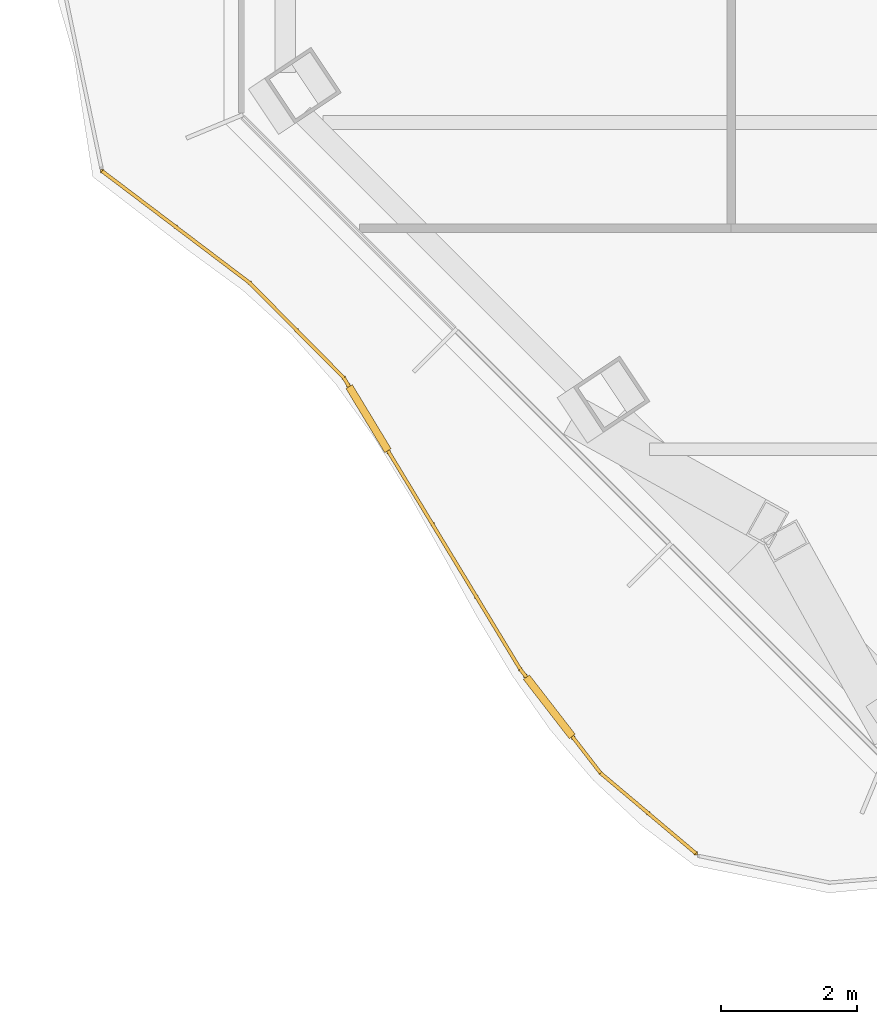
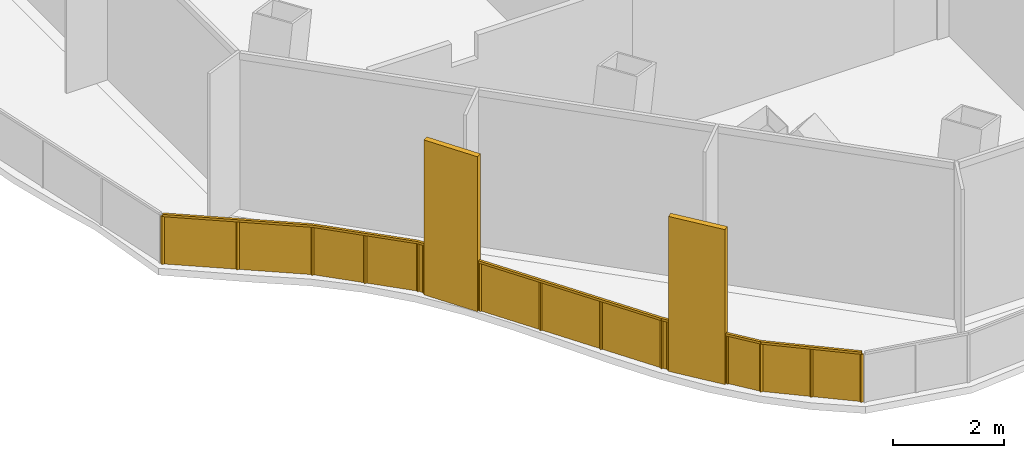
# One storey, part 13 of 19: 1 railing.
"""IFC4 building model written with IfcOpenShell, lengths in metres."""

from ifc_helpers import new_model, si_unit, direction, frame, origin, origin_2d, place, context, subcontext, project, spatial, polyline, rectangle, outline, extrude, material, type_object, element, save


model = new_model("IFC4")

# Units and contexts
model_context = context("Model", 3, precision=1e-05, world=origin(), true_north=direction((0.0, 1.0)))
body_context = subcontext(model_context, "Body", "Model", "MODEL_VIEW")
ifc_project = project(units=[si_unit("LENGTHUNIT", "METRE"), si_unit("AREAUNIT", "SQUARE_METRE"), si_unit("VOLUMEUNIT", "CUBIC_METRE"), si_unit("PLANEANGLEUNIT", "RADIAN"), si_unit("MASSUNIT", "GRAM", prefix="KILO")], contexts=[model_context])

# Site, building, storey
site_placement = place(None, origin())
site = spatial("IfcSite", under=ifc_project, at=site_placement, CompositionType="ELEMENT")
building_placement = place(site_placement, origin())
building = spatial("IfcBuilding", under=site, at=building_placement, Name="Cairn Pilgrim Tower", CompositionType="ELEMENT")
storey_placement = place(building_placement, frame((0.0, 0.0, 90.60009765625)))
storey = spatial("IfcBuildingStorey", under=building, at=storey_placement, Name="L21", CompositionType="ELEMENT", Elevation=90.60009765625)

# Railing
ifc_material = material(Name="Bronze anodised aluminium rail, posts and fin screens with laminated glass infill", Category="aluminium")
railing_type = type_object("IfcRailingType", Name="BALCONY GUARD WITH FIN SCREENS", PredefinedType="GUARDRAIL", material=ifc_material)
railing_placement = place(storey_placement, frame((-30.272216796875, -14.8994140625, 0.0)))
element("IfcRailing", 1, at=railing_placement, inside=storey, type_object=railing_type, Name="Balcony guard BGF-7 with fin screens", PredefinedType="GUARDRAIL", context=body_context, shape_type="SweptSolid", body=[
    extrude(rectangle(XDim=0.050048828125, YDim=0.050048828125, at=origin_2d()), frame((0.0, 0.0, 1.0751953125), z_axis=(0.797297754548, -0.60358619152, 0.0), x_axis=(0.60358619152, 0.797297754548, 0.0)), (0.0, 0.0, 1.0), 2.718505859375),
    extrude(rectangle(XDim=0.050048828125, YDim=0.050048828125, at=origin_2d()), frame((2.16748046875, -1.640869140625, 1.0751953125), z_axis=(0.703998664386, -0.71020129579, 0.0), x_axis=(0.71020129579, 0.703998664386, 0.0)), (0.0, 0.0, 1.0), 1.968017578125),
    extrude(rectangle(XDim=1.10009765625, YDim=0.110107421875, at=origin_2d()), frame((3.91552734375, -3.637451171875, 0.0), z_axis=(0.0, 0.0, 1.0), x_axis=(0.517893859216, -0.855444884599, 0.0)), (0.0, 0.0, 1.0), 3.39990234375),
    extrude(rectangle(XDim=0.050048828125, YDim=0.050048828125, at=origin_2d()), frame((3.552978515625, -3.03857421875, 1.0751953125), z_axis=(0.517893859216, -0.855444884599, 0.0), x_axis=(0.855444884599, 0.517893859216, 0.0)), (0.0, 0.0, 1.0), 0.150146484375),
    extrude(rectangle(XDim=0.050048828125, YDim=0.050048828125, at=origin_2d()), frame((4.200439453125, -4.10791015625, 1.0751953125), z_axis=(0.517893859216, -0.855444884599, 0.0), x_axis=(0.855444884599, 0.517893859216, 0.0)), (0.0, 0.0, 1.0), 3.751953125),
    extrude(rectangle(XDim=1.10009765625, YDim=0.110107421875, at=origin_2d()), frame((6.572021484375, -7.87158203125, 0.0), z_axis=(0.0, 0.0, 1.0), x_axis=(0.611749751071, -0.791051352356, 0.0)), (0.0, 0.0, 1.0), 3.39990234375),
    extrude(rectangle(XDim=0.050048828125, YDim=0.050048828125, at=origin_2d()), frame((6.1435546875, -7.317626953125, 1.0751953125), z_axis=(0.611749751071, -0.791051352356, 0.0), x_axis=(0.791051352356, 0.611749751071, 0.0)), (0.0, 0.0, 1.0), 0.150390625),
    extrude(rectangle(XDim=0.050048828125, YDim=0.050048828125, at=origin_2d()), frame((6.908447265625, -8.306640625, 1.0751953125), z_axis=(0.611749751071, -0.791051352356, 0.0), x_axis=(0.791051352356, 0.611749751071, 0.0)), (0.0, 0.0, 1.0), 0.680419921875),
    extrude(rectangle(XDim=0.050048828125, YDim=0.050048828125, at=origin_2d()), frame((7.32470703125, -8.844970703125, 1.0751953125), z_axis=(0.764638180345, -0.644459815007, 0.0), x_axis=(0.644459815007, 0.764638180345, 0.0)), (0.0, 0.0, 1.0), 1.83251953125),
    extrude(rectangle(XDim=0.050048828125, YDim=0.050048828125, at=origin_2d()), origin(), (0.0, 0.0, 1.0), 1.050048828125),
    extrude(rectangle(XDim=0.050048828125, YDim=0.050048828125, at=origin_2d()), frame((1.083740234375, -0.820556640625, 0.0)), (0.0, 0.0, 1.0), 1.050048828125),
    extrude(rectangle(XDim=0.050048828125, YDim=0.050048828125, at=origin_2d()), frame((2.16748046875, -1.640869140625, 0.0)), (0.0, 0.0, 1.0), 1.050048828125),
    extrude(rectangle(XDim=0.050048828125, YDim=0.050048828125, at=origin_2d()), frame((2.8603515625, -2.33984375, 0.0)), (0.0, 0.0, 1.0), 1.050048828125),
    extrude(rectangle(XDim=0.050048828125, YDim=0.050048828125, at=origin_2d()), frame((3.552978515625, -3.03857421875, 0.0)), (0.0, 0.0, 1.0), 1.050048828125),
    extrude(rectangle(XDim=0.050048828125, YDim=0.050048828125, at=origin_2d()), frame((3.61767578125, -3.1455078125, 0.0)), (0.0, 0.0, 1.0), 1.050048828125),
    extrude(rectangle(XDim=0.050048828125, YDim=0.050048828125, at=origin_2d()), frame((4.21337890625, -4.12939453125, 0.0)), (0.0, 0.0, 1.0), 1.050048828125),
    extrude(rectangle(XDim=0.050048828125, YDim=0.050048828125, at=origin_2d()), frame((4.856689453125, -5.192138671875, 0.0)), (0.0, 0.0, 1.0), 1.050048828125),
    extrude(rectangle(XDim=0.050048828125, YDim=0.050048828125, at=origin_2d()), frame((5.500244140625, -6.2548828125, 0.0)), (0.0, 0.0, 1.0), 1.050048828125),
    extrude(rectangle(XDim=0.050048828125, YDim=0.050048828125, at=origin_2d()), frame((6.1435546875, -7.317626953125, 0.0)), (0.0, 0.0, 1.0), 1.050048828125),
    extrude(rectangle(XDim=0.050048828125, YDim=0.050048828125, at=origin_2d()), frame((6.22021484375, -7.416748046875, 0.0)), (0.0, 0.0, 1.0), 1.050048828125),
    extrude(rectangle(XDim=0.050048828125, YDim=0.050048828125, at=origin_2d()), frame((6.923828125, -8.326416015625, 0.0)), (0.0, 0.0, 1.0), 1.050048828125),
    extrude(rectangle(XDim=0.050048828125, YDim=0.050048828125, at=origin_2d()), frame((7.32470703125, -8.844970703125, 0.0)), (0.0, 0.0, 1.0), 1.050048828125),
    extrude(rectangle(XDim=0.050048828125, YDim=0.050048828125, at=origin_2d()), frame((8.025390625, -9.435546875, 0.0)), (0.0, 0.0, 1.0), 1.050048828125),
    extrude(rectangle(XDim=0.050048828125, YDim=0.050048828125, at=origin_2d()), frame((8.725830078125, -10.02587890625, 0.0)), (0.0, 0.0, 1.0), 1.050048828125),
    extrude(outline(polyline([(0.02490234375, 0.0), (1.334228515625, 0.0), (1.334228515625, 1.050048828125), (0.02490234375, 1.050048828125), (0.02490234375, 0.0)])), frame((0.003662109375, 0.0048828125, 0.0), z_axis=(-0.60358619152, -0.797297754548, 0.0), x_axis=(0.797297754548, -0.60358619152, 0.0)), (0.0, 0.0, 1.0), 0.011962890625),
    extrude(outline(polyline([(0.02490234375, 0.0), (1.334228515625, 0.0), (1.334228515625, 1.050048828125), (0.02490234375, 1.050048828125), (0.02490234375, 0.0)])), frame((1.08740234375, -0.815673828125, 0.0), z_axis=(-0.60358619152, -0.797297754548, 0.0), x_axis=(0.797297754548, -0.60358619152, 0.0)), (0.0, 0.0, 1.0), 0.011962890625),
    extrude(outline(polyline([(0.02490234375, 0.0), (0.958984375, 0.0), (0.958984375, 1.050048828125), (0.02490234375, 1.050048828125), (0.02490234375, 0.0)])), frame((2.171630859375, -1.63671875, 0.0), z_axis=(-0.71020129579, -0.703998664386, 0.0), x_axis=(0.703998664386, -0.71020129579, 0.0)), (0.0, 0.0, 1.0), 0.011962890625),
    extrude(outline(polyline([(0.02490234375, 0.0), (0.958984375, 0.0), (0.958984375, 1.050048828125), (0.02490234375, 1.050048828125), (0.02490234375, 0.0)])), frame((2.864501953125, -2.33544921875, 0.0), z_axis=(-0.71020129579, -0.703998664386, 0.0), x_axis=(0.703998664386, -0.71020129579, 0.0)), (0.0, 0.0, 1.0), 0.011962890625),
    extrude(outline(polyline([(0.02490234375, 0.0), (0.10009765625, 0.0), (0.10009765625, 1.050048828125), (0.02490234375, 1.050048828125), (0.02490234375, 0.0)])), frame((3.55810546875, -3.035400390625, 0.0), z_axis=(-0.855444884599, -0.517893859216, 0.0), x_axis=(0.517893859216, -0.855444884599, 0.0)), (0.0, 0.0, 1.0), 0.011962890625),
    extrude(outline(polyline([(0.02490234375, 0.0), (1.21728515625, 0.0), (1.21728515625, 1.050048828125), (0.02490234375, 1.050048828125), (0.02490234375, 0.0)])), frame((4.218505859375, -4.126220703125, 0.0), z_axis=(-0.855444884599, -0.517893859216, 0.0), x_axis=(0.517893859216, -0.855444884599, 0.0)), (0.0, 0.0, 1.0), 0.011962890625),
    extrude(outline(polyline([(0.02490234375, 0.0), (1.21728515625, 0.0), (1.21728515625, 1.050048828125), (0.02490234375, 1.050048828125), (0.02490234375, 0.0)])), frame((4.86181640625, -5.18896484375, 0.0), z_axis=(-0.855444884599, -0.517893859216, 0.0), x_axis=(0.517893859216, -0.855444884599, 0.0)), (0.0, 0.0, 1.0), 0.011962890625),
    extrude(outline(polyline([(0.02490234375, 0.0), (1.21728515625, 0.0), (1.21728515625, 1.050048828125), (0.02490234375, 1.050048828125), (0.02490234375, 0.0)])), frame((5.50537109375, -6.251708984375, 0.0), z_axis=(-0.855444884599, -0.517893859216, 0.0), x_axis=(0.517893859216, -0.855444884599, 0.0)), (0.0, 0.0, 1.0), 0.011962890625),
    extrude(outline(polyline([(0.02490234375, 0.0), (0.100341796875, 0.0), (0.100341796875, 1.050048828125), (0.02490234375, 1.050048828125), (0.02490234375, 0.0)])), frame((6.148193359375, -7.31396484375, 0.0), z_axis=(-0.791051352356, -0.611749751071, 0.0), x_axis=(0.611749751071, -0.791051352356, 0.0)), (0.0, 0.0, 1.0), 0.011962890625),
    extrude(outline(polyline([(0.02490234375, 0.0), (0.63037109375, 0.0), (0.63037109375, 1.050048828125), (0.02490234375, 1.050048828125), (0.02490234375, 0.0)])), frame((6.928466796875, -8.32275390625, 0.0), z_axis=(-0.791051352356, -0.611749751071, 0.0), x_axis=(0.611749751071, -0.791051352356, 0.0)), (0.0, 0.0, 1.0), 0.011962890625),
    extrude(outline(polyline([(0.02490234375, 0.0), (0.89111328125, 0.0), (0.89111328125, 1.050048828125), (0.02490234375, 1.050048828125), (0.02490234375, 0.0)])), frame((7.32861328125, -8.84033203125, 0.0), z_axis=(-0.644459815007, -0.764638180345, 0.0), x_axis=(0.764638180345, -0.644459815007, 0.0)), (0.0, 0.0, 1.0), 0.011962890625),
    extrude(outline(polyline([(0.02490234375, 0.0), (0.89111328125, 0.0), (0.89111328125, 1.050048828125), (0.02490234375, 1.050048828125), (0.02490234375, 0.0)])), frame((8.029052734375, -9.430908203125, 0.0), z_axis=(-0.644459815007, -0.764638180345, 0.0), x_axis=(0.764638180345, -0.644459815007, 0.0)), (0.0, 0.0, 1.0), 0.011962890625),
])

save(model, "model.ifc")
